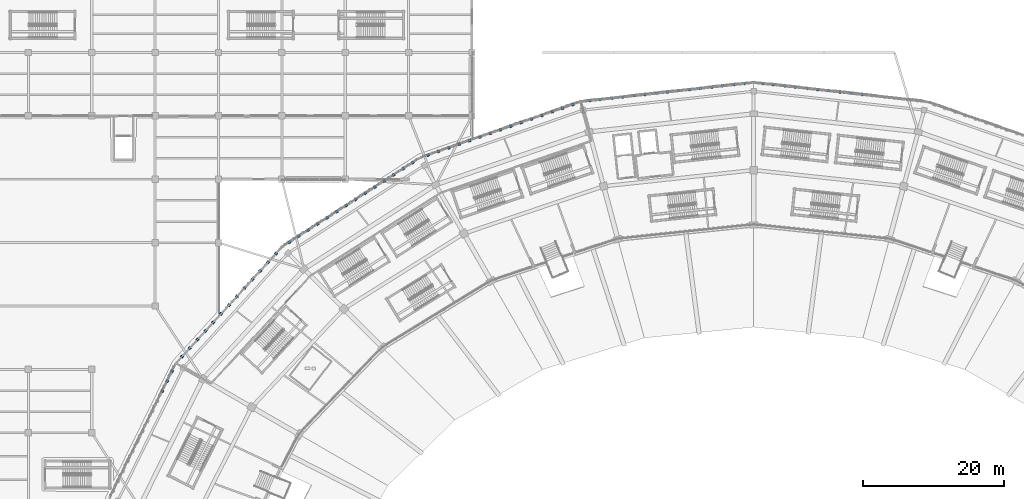
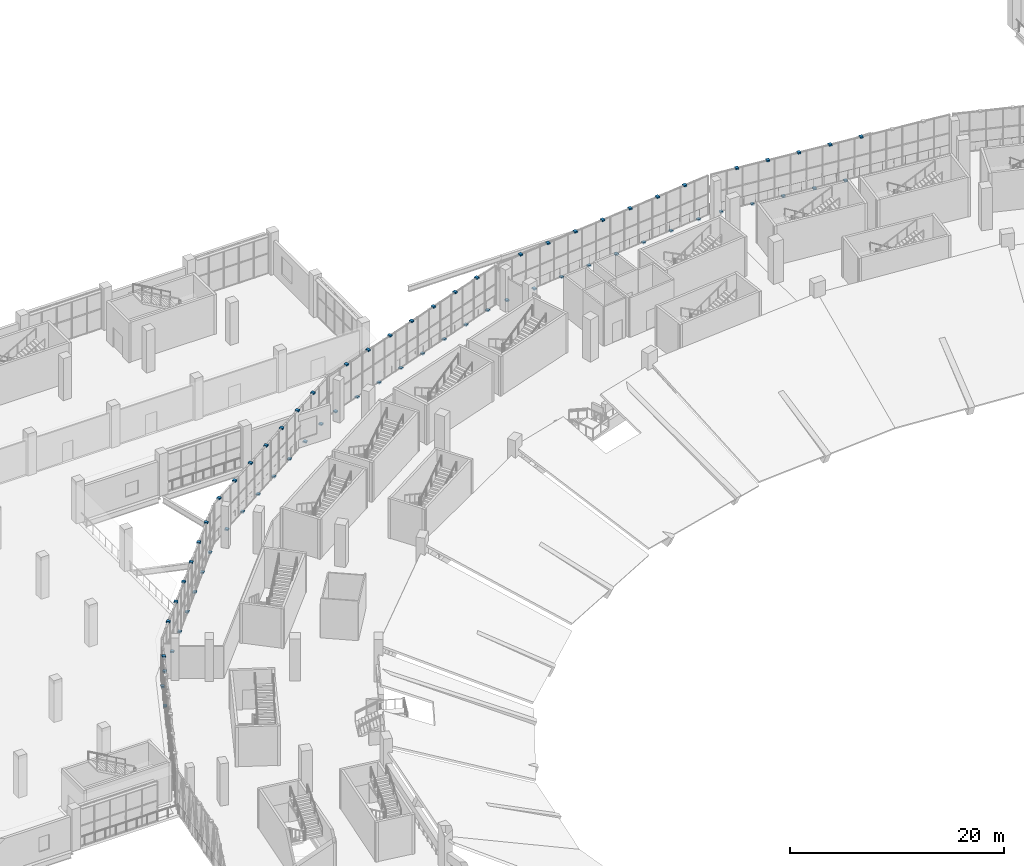
# One storey, part 123 of 183: 70 discrete accessories.
"""IFC4 building model written with IfcOpenShell, lengths in metres."""

import ifcopenshell
import ifcopenshell.guid

model = None  # the IFC model being written
_history = None  # IfcOwnerHistory: only IFC2X3 demands one
_inside = {}  # id of a spatial element -> (the spatial element, [elements in it])
_under = {}  # id of a project, library or spatial element -> (it, [spatial elements below it])
_declared = {}  # id of a project -> (the project, [libraries it declares])
_typed = {}  # id of a type object -> (the type object, [elements of that type])
_made_of = {}  # id of a material, layer set ... -> (it, [elements and type objects made of it])


def new_model(schema):
    """Start an empty IFC model of exactly this schema.

    Asked for "IFC4X3", IfcOpenShell would pick the latest addendum, in which some entities
    have other attributes; the version numbers below select the first issue.
    IFC2X3 requires an IfcOwnerHistory on every rooted entity: one is made here for all.
    """
    global model, _history
    if schema == "IFC4X3":
        model = ifcopenshell.file(schema_version=(4, 3, 0, 0))
    else:
        model = ifcopenshell.file(schema=schema)
    _inside.clear()
    _under.clear()
    _declared.clear()
    _typed.clear()
    _made_of.clear()
    _history = None
    if model.schema == "IFC2X3":
        org = make("IfcOrganization", Name="unknown")
        user = make(
            "IfcPersonAndOrganization",
            ThePerson=make("IfcPerson", FamilyName="unknown"),
            TheOrganization=org,
        )
        app = make(
            "IfcApplication",
            ApplicationDeveloper=org,
            Version="unknown",
            ApplicationFullName="unknown",
            ApplicationIdentifier="unknown",
        )
        _history = make(
            "IfcOwnerHistory",
            OwningUser=user,
            OwningApplication=app,
            ChangeAction="ADDED",
            CreationDate=0,
        )
    return model


def make(cls, **values):
    """One entity of the class cls with the attributes given. An attribute that is None is left unset."""
    return model.create_entity(
        cls, **{name: value for name, value in values.items() if value is not None}
    )


def rooted(cls, **values):
    """An entity with a GlobalId (a new one), such as an element, a storey or a relation."""
    return make(cls, GlobalId=ifcopenshell.guid.new(), OwnerHistory=_history, **values)


def si_unit(unit_type, name, prefix=None):
    """IfcSIUnit, for example si_unit("LENGTHUNIT", "METRE", prefix="MILLI")."""
    return make("IfcSIUnit", UnitType=unit_type, Prefix=prefix, Name=name)


def assignment(units):
    """IfcUnitAssignment: the units of a project."""
    return None if units is None else make("IfcUnitAssignment", Units=units)


def point(xyz):
    """IfcCartesianPoint."""
    return None if xyz is None else make("IfcCartesianPoint", Coordinates=xyz)


def direction(xyz):
    """IfcDirection."""
    return None if xyz is None else make("IfcDirection", DirectionRatios=xyz)


def frame(location, z_axis=None, x_axis=None):
    """IfcAxis2Placement3D, a coordinate frame: its origin and axes. An axis left out is left unset."""
    return make(
        "IfcAxis2Placement3D",
        Location=point(location),
        Axis=direction(z_axis),
        RefDirection=direction(x_axis),
    )


def frame_2d(location, x_axis=None):
    """IfcAxis2Placement2D, a coordinate frame in the plane: its origin and x axis."""
    return make(
        "IfcAxis2Placement2D", Location=point(location), RefDirection=direction(x_axis)
    )


def origin():
    """The frame at (0, 0, 0) with its axes left unset."""
    return frame((0.0, 0.0, 0.0))


def origin_2d():
    """The frame at (0, 0) in the plane with its x axis left unset."""
    return frame_2d((0.0, 0.0))


def place(relative_to, where):
    """IfcLocalPlacement: puts the frame where relative to a parent placement (None: the world)."""
    return make(
        "IfcLocalPlacement", PlacementRelTo=relative_to, RelativePlacement=where
    )


def context(
    kind, dimensions, precision=None, world=None, true_north=None, identifier=None
):
    """IfcGeometricRepresentationContext, for example the 3D "Model" context."""
    return make(
        "IfcGeometricRepresentationContext",
        ContextIdentifier=identifier,
        ContextType=kind,
        CoordinateSpaceDimension=dimensions,
        Precision=precision,
        WorldCoordinateSystem=world,
        TrueNorth=true_north,
    )


def subcontext(parent, identifier, kind, view, scale=None):
    """IfcGeometricRepresentationSubContext, for example "Body" below "Model"."""
    return make(
        "IfcGeometricRepresentationSubContext",
        ContextIdentifier=identifier,
        ContextType=kind,
        ParentContext=parent,
        TargetScale=scale,
        TargetView=view,
    )


def project(units=None, contexts=None):
    """IfcProject with its units and contexts."""
    return rooted(
        "IfcProject",
        Name="project",
        RepresentationContexts=contexts,
        UnitsInContext=assignment(units),
    )


def spatial(cls, under=None, at=None, **own):
    """A site, building, storey or space (cls), placed at a placement, below another one or the project."""
    s = rooted(cls, ObjectPlacement=at, **own)
    if under is not None:
        _under.setdefault(under.id(), (under, []))[1].append(s)
    return s


def profile(cls, at=None, kind="AREA", **sizes):
    """A parametric profile (cls). Its sizes go by their IFC names, for example OverallWidth=200.0."""
    return make(cls, ProfileType=kind, Position=at, **sizes)


def rectangle(**sizes):
    """IfcRectangleProfileDef."""
    return profile("IfcRectangleProfileDef", **sizes)


def extrude(swept, where, along, depth):
    """IfcExtrudedAreaSolid: the profile swept, set in the frame where, extruded along a direction by depth."""
    return make(
        "IfcExtrudedAreaSolid",
        SweptArea=swept,
        Position=where,
        ExtrudedDirection=direction(along),
        Depth=depth,
    )


def shape(context_of_items, identifier, shape_type, items):
    """IfcShapeRepresentation: the items that make up one representation, for example the "Body"."""
    return make(
        "IfcShapeRepresentation",
        ContextOfItems=context_of_items,
        RepresentationIdentifier=identifier,
        RepresentationType=shape_type,
        Items=items,
    )


def material(Name=None, Category=None):
    """IfcMaterial."""
    return make("IfcMaterial", Name=Name, Category=Category)


def layer(
    of_material, thickness, ventilated=None, Name=None, Category=None, Priority=None
):
    """IfcMaterialLayer: one layer of a wall or slab, of a material (None: an air gap)."""
    return make(
        "IfcMaterialLayer",
        Material=of_material,
        LayerThickness=thickness,
        IsVentilated=ventilated,
        Name=Name,
        Category=Category,
        Priority=Priority,
    )


def layer_set(layers, Name=None):
    """IfcMaterialLayerSet."""
    return make("IfcMaterialLayerSet", MaterialLayers=layers, LayerSetName=Name)


def made_of(thing, what):
    """Note that an element or type object is made of a material, layer set ...; save() writes the relation."""
    if what is not None:
        _made_of.setdefault(what.id(), (what, []))[1].append(thing)
    return thing


def type_object(cls, material=None, **own):
    """A type object (cls), such as IfcWallType, which elements share."""
    return made_of(rooted(cls, **own), material)


def element(
    cls,
    number,
    at=None,
    inside=None,
    cuts=None,
    type_object=None,
    material=None,
    context=None,
    identifier="Body",
    shape_type=None,
    held_by="IfcProductDefinitionShape",
    body=None,
    shapes=None,
    **own,
):
    """One element of the class cls, such as IfcWall. Its Tag is "e" and its number.

    at: its placement. inside: the storey or other place that contains it. cuts: it is an
    opening in that element (IfcRelVoidsElement). A single representation is given by context,
    identifier, shape_type and body (its items); several are given by shapes. held_by: the class
    of the entity that holds the representations. save() writes the other relations.
    """
    e = rooted(cls, Tag="e%d" % number, ObjectPlacement=at, **own)
    if body is not None:
        shapes = [shape(context, identifier, shape_type, body)]
    if shapes is not None:
        e.Representation = make(held_by, Representations=shapes)
    if inside is not None:
        _inside.setdefault(inside.id(), (inside, []))[1].append(e)
    if cuts is not None:
        rooted(
            "IfcRelVoidsElement", RelatingBuildingElement=cuts, RelatedOpeningElement=e
        )
    if type_object is not None:
        _typed.setdefault(type_object.id(), (type_object, []))[1].append(e)
    return made_of(e, material)


def aggregate(whole, parts):
    """IfcRelAggregates: a whole, such as a stair, and the parts it consists of."""
    return rooted("IfcRelAggregates", RelatingObject=whole, RelatedObjects=parts)


def save(model, path):
    """Write the relations noted so far, then the file.

    IfcRelAggregates (storeys below a building ...), IfcRelContainedInSpatialStructure (elements
    in a storey), IfcRelDefinesByType, IfcRelAssociatesMaterial and IfcRelDeclares: one each for
    every whole, place, type object, material and project.
    """
    for whole, parts in _under.values():
        aggregate(whole, parts)
    for where, things in _inside.values():
        rooted(
            "IfcRelContainedInSpatialStructure",
            RelatedElements=things,
            RelatingStructure=where,
        )
    for kind, things in _typed.values():
        rooted("IfcRelDefinesByType", RelatedObjects=things, RelatingType=kind)
    for what, things in _made_of.values():
        rooted("IfcRelAssociatesMaterial", RelatedObjects=things, RelatingMaterial=what)
    for by, libraries in _declared.values():
        rooted("IfcRelDeclares", RelatingContext=by, RelatedDefinitions=libraries)
    model.write(path)


model = new_model("IFC4")

# Units and contexts
model_context = context("Model", 3, precision=1e-05, world=origin(), true_north=direction((0.0, 1.0)))
body_context = subcontext(model_context, "Body", "Model", "MODEL_VIEW")
ifc_project = project(units=[si_unit("LENGTHUNIT", "METRE"), si_unit("AREAUNIT", "SQUARE_METRE"), si_unit("VOLUMEUNIT", "CUBIC_METRE"), si_unit("PLANEANGLEUNIT", "RADIAN"), si_unit("MASSUNIT", "GRAM", prefix="KILO")], contexts=[model_context])

# Site, building, storey
site_placement = place(None, origin())
site = spatial("IfcSite", under=ifc_project, at=site_placement, CompositionType="ELEMENT")
building_placement = place(site_placement, origin())
building = spatial("IfcBuilding", under=site, at=building_placement, Name="Zevraka Park Crest Stadium", CompositionType="ELEMENT")
storey_placement = place(building_placement, frame((0.0, 0.0, 5.39990234375)))
storey = spatial("IfcBuildingStorey", under=building, at=storey_placement, Name="L01", CompositionType="ELEMENT", Elevation=5.39990234375)

# Discrete accessories
ifc_material = material(Name="Galvanised steel bracketry", Category="steel")
ifc_layer = layer(ifc_material, 0.1201171875)
ifc_layer_set = layer_set([ifc_layer], Name="Galvanised steel bracketry")
discrete_accessory_type = type_object("IfcDiscreteAccessoryType", Name="BRK01", PredefinedType="BRACKET", material=ifc_layer_set)
for number, where, z_axis, x_axis, name in (
    (1, (127.4130859375, 170.031005859375, 4.38037109375), (0.0, 0.0, 1.0), (-0.9939225904, 0.110081262225, 0.0), "Bronze Screen Carrier Bracket BRK01 L01-05-6"),
    (2, (125.8369140625, 170.2060546875, -0.15966796875), (0.0, 0.0, 1.0), (-0.9939225904, 0.110081262225, 0.0), "Bronze Screen Carrier Bracket BRK01 L01-05-7"),
    (3, (124.260986328125, 170.3798828125, 4.38037109375), (0.0, 0.0, 1.0), (-0.9939225904, 0.110081262225, 0.0), "Bronze Screen Carrier Bracket BRK01 L01-05-8"),
    (4, (122.68505859375, 170.554931640625, -0.15966796875), (0.0, 0.0, 1.0), (-0.9939225904, 0.110081262225, 0.0), "Bronze Screen Carrier Bracket BRK01 L01-05-9"),
    (5, (121.10888671875, 170.72998046875, 4.38037109375), (0.0, 0.0, 1.0), (-0.9939225904, 0.110081262225, 0.0), "Bronze Screen Carrier Bracket BRK01 L01-05-10"),
    (6, (119.532958984375, 170.904052734375, -0.15966796875), (0.0, 0.0, 1.0), (-0.9939225904, 0.110081262225, 0.0), "Bronze Screen Carrier Bracket BRK01 L01-05-11"),
    (7, (117.95703125, 171.0791015625, 4.38037109375), (0.0, 0.0, 1.0), (-0.9939225904, 0.110081262225, 0.0), "Bronze Screen Carrier Bracket BRK01 L01-05-12"),
    (8, (116.381103515625, 171.25390625, -0.15966796875), (0.0, 0.0, 1.0), (-0.9939225904, 0.110081262225, 0.0), "Bronze Screen Carrier Bracket BRK01 L01-05-13"),
    (9, (114.803955078125, 171.427978515625, 4.38037109375), (0.0, 0.0, 1.0), (-0.9939225904, 0.110081262225, 0.0), "Bronze Screen Carrier Bracket BRK01 L01-05-14"),
    (10, (113.22802734375, 171.60302734375, -0.15966796875), (0.0, 0.0, 1.0), (-0.9939225904, 0.110081262225, 0.0), "Bronze Screen Carrier Bracket BRK01 L01-05-15"),
    (11, (110.77197265625, 171.60302734375, -0.15966796875), (0.0, 0.0, 1.0), (-0.9939225904, -0.110081262225, 0.0), "Bronze Screen Carrier Bracket BRK01 L01-06-1"),
    (12, (109.196044921875, 171.427978515625, 4.38037109375), (0.0, 0.0, 1.0), (-0.9939225904, -0.110081262225, 0.0), "Bronze Screen Carrier Bracket BRK01 L01-06-2"),
    (13, (107.618896484375, 171.25390625, -0.15966796875), (0.0, 0.0, 1.0), (-0.9939225904, -0.110081262225, 0.0), "Bronze Screen Carrier Bracket BRK01 L01-06-3"),
    (14, (106.04296875, 171.0791015625, 4.38037109375), (0.0, 0.0, 1.0), (-0.9939225904, -0.110081262225, 0.0), "Bronze Screen Carrier Bracket BRK01 L01-06-4"),
    (15, (104.467041015625, 170.904052734375, -0.15966796875), (0.0, 0.0, 1.0), (-0.9939225904, -0.110081262225, 0.0), "Bronze Screen Carrier Bracket BRK01 L01-06-5"),
    (16, (102.89111328125, 170.72998046875, 4.38037109375), (0.0, 0.0, 1.0), (-0.9939225904, -0.110081262225, 0.0), "Bronze Screen Carrier Bracket BRK01 L01-06-6"),
    (17, (101.31494140625, 170.554931640625, -0.15966796875), (0.0, 0.0, 1.0), (-0.9939225904, -0.110081262225, 0.0), "Bronze Screen Carrier Bracket BRK01 L01-06-7"),
    (18, (99.739013671875, 170.3798828125, 4.38037109375), (0.0, 0.0, 1.0), (-0.9939225904, -0.110081262225, 0.0), "Bronze Screen Carrier Bracket BRK01 L01-06-8"),
    (19, (98.1630859375, 170.2060546875, -0.15966796875), (0.0, 0.0, 1.0), (-0.9939225904, -0.110081262225, 0.0), "Bronze Screen Carrier Bracket BRK01 L01-06-9"),
    (20, (96.5869140625, 170.031005859375, 4.38037109375), (0.0, 0.0, 1.0), (-0.9939225904, -0.110081262225, 0.0), "Bronze Screen Carrier Bracket BRK01 L01-06-10"),
    (21, (95.010986328125, 169.85693359375, -0.15966796875), (0.0, 0.0, 1.0), (-0.9939225904, -0.110081262225, 0.0), "Bronze Screen Carrier Bracket BRK01 L01-06-11"),
    (22, (93.43505859375, 169.681884765625, 4.38037109375), (0.0, 0.0, 1.0), (-0.9939225904, -0.110081262225, 0.0), "Bronze Screen Carrier Bracket BRK01 L01-06-12"),
    (23, (91.85888671875, 169.507080078125, -0.15966796875), (0.0, 0.0, 1.0), (-0.9939225904, -0.110081262225, 0.0), "Bronze Screen Carrier Bracket BRK01 L01-06-13"),
    (24, (90.281982421875, 169.3330078125, 4.38037109375), (0.0, 0.0, 1.0), (-0.9939225904, -0.110081262225, 0.0), "Bronze Screen Carrier Bracket BRK01 L01-06-14"),
    (25, (88.7060546875, 169.157958984375, -0.15966796875), (0.0, 0.0, 1.0), (-0.9939225904, -0.110081262225, 0.0), "Bronze Screen Carrier Bracket BRK01 L01-06-15"),
    (26, (86.324951171875, 168.6201171875, -0.15966796875), (0.0, 0.0, 1.0), (-0.944261516589, -0.329196276237, 0.0), "Bronze Screen Carrier Bracket BRK01 L01-07-1"),
    (27, (84.85791015625, 168.10791015625, 4.38037109375), (0.0, 0.0, 1.0), (-0.944261516589, -0.329196276237, 0.0), "Bronze Screen Carrier Bracket BRK01 L01-07-2"),
    (28, (83.389892578125, 167.596923828125, -0.15966796875), (0.0, 0.0, 1.0), (-0.944261516589, -0.329196276237, 0.0), "Bronze Screen Carrier Bracket BRK01 L01-07-3"),
    (29, (81.922119140625, 167.0849609375, 4.38037109375), (0.0, 0.0, 1.0), (-0.944261516589, -0.329196276237, 0.0), "Bronze Screen Carrier Bracket BRK01 L01-07-4"),
    (30, (80.455078125, 166.572998046875, -0.15966796875), (0.0, 0.0, 1.0), (-0.944261516589, -0.329196276237, 0.0), "Bronze Screen Carrier Bracket BRK01 L01-07-5"),
    (31, (78.987060546875, 166.06103515625, 4.38037109375), (0.0, 0.0, 1.0), (-0.944261516589, -0.329196276237, 0.0), "Bronze Screen Carrier Bracket BRK01 L01-07-6"),
    (32, (77.52001953125, 165.550048828125, -0.15966796875), (0.0, 0.0, 1.0), (-0.944261516589, -0.329196276237, 0.0), "Bronze Screen Carrier Bracket BRK01 L01-07-7"),
    (33, (76.052001953125, 165.0380859375, 4.38037109375), (0.0, 0.0, 1.0), (-0.944261516589, -0.329196276237, 0.0), "Bronze Screen Carrier Bracket BRK01 L01-07-8"),
    (34, (74.583984375, 164.52587890625, -0.15966796875), (0.0, 0.0, 1.0), (-0.944261516589, -0.329196276237, 0.0), "Bronze Screen Carrier Bracket BRK01 L01-07-9"),
    (35, (73.116943359375, 164.014892578125, 4.38037109375), (0.0, 0.0, 1.0), (-0.944261516589, -0.329196276237, 0.0), "Bronze Screen Carrier Bracket BRK01 L01-07-10"),
    (36, (71.64892578125, 163.5029296875, -0.15966796875), (0.0, 0.0, 1.0), (-0.944261516589, -0.329196276237, 0.0), "Bronze Screen Carrier Bracket BRK01 L01-07-11"),
    (37, (70.181884765625, 162.990966796875, 4.38037109375), (0.0, 0.0, 1.0), (-0.944261516589, -0.329196276237, 0.0), "Bronze Screen Carrier Bracket BRK01 L01-07-12"),
    (38, (68.714111328125, 162.47900390625, -0.15966796875), (0.0, 0.0, 1.0), (-0.944261516589, -0.329196276237, 0.0), "Bronze Screen Carrier Bracket BRK01 L01-07-13"),
    (39, (67.24609375, 161.968017578125, 4.38037109375), (0.0, 0.0, 1.0), (-0.944261516589, -0.329196276237, 0.0), "Bronze Screen Carrier Bracket BRK01 L01-07-14"),
    (40, (65.779052734375, 161.4560546875, -0.15966796875), (0.0, 0.0, 1.0), (-0.944261516589, -0.329196276237, 0.0), "Bronze Screen Carrier Bracket BRK01 L01-07-15"),
    (41, (63.5810546875, 160.37890625, -0.15966796875), (0.0, 0.0, 1.0), (-0.839998867196, -0.542588152386, 0.0), "Bronze Screen Carrier Bracket BRK01 L01-08-1"),
    (42, (62.23193359375, 159.508056640625, 4.38037109375), (0.0, 0.0, 1.0), (-0.839998867196, -0.542588152386, 0.0), "Bronze Screen Carrier Bracket BRK01 L01-08-2"),
    (43, (60.884033203125, 158.636962890625, -0.15966796875), (0.0, 0.0, 1.0), (-0.839998867196, -0.542588152386, 0.0), "Bronze Screen Carrier Bracket BRK01 L01-08-3"),
    (44, (59.534912109375, 157.76611328125, 4.38037109375), (0.0, 0.0, 1.0), (-0.839998867196, -0.542588152386, 0.0), "Bronze Screen Carrier Bracket BRK01 L01-08-4"),
    (45, (58.18701171875, 156.89501953125, -0.15966796875), (0.0, 0.0, 1.0), (-0.839998867196, -0.542588152386, 0.0), "Bronze Screen Carrier Bracket BRK01 L01-08-5"),
    (46, (56.839111328125, 156.02392578125, 4.38037109375), (0.0, 0.0, 1.0), (-0.839998867196, -0.542588152386, 0.0), "Bronze Screen Carrier Bracket BRK01 L01-08-6"),
    (47, (55.489990234375, 155.153076171875, -0.15966796875), (0.0, 0.0, 1.0), (-0.839998867196, -0.542588152386, 0.0), "Bronze Screen Carrier Bracket BRK01 L01-08-7"),
    (48, (54.14208984375, 154.282958984375, 4.38037109375), (0.0, 0.0, 1.0), (-0.839998867196, -0.542588152386, 0.0), "Bronze Screen Carrier Bracket BRK01 L01-08-8"),
    (49, (52.79296875, 153.412109375, -0.15966796875), (0.0, 0.0, 1.0), (-0.839998867196, -0.542588152386, 0.0), "Bronze Screen Carrier Bracket BRK01 L01-08-9"),
    (50, (51.445068359375, 152.541015625, 4.38037109375), (0.0, 0.0, 1.0), (-0.839998867196, -0.542588152386, 0.0), "Bronze Screen Carrier Bracket BRK01 L01-08-10"),
    (51, (50.096923828125, 151.669921875, -0.15966796875), (0.0, 0.0, 1.0), (-0.839998867196, -0.542588152386, 0.0), "Bronze Screen Carrier Bracket BRK01 L01-08-11"),
    (52, (48.748046875, 150.799072265625, 4.38037109375), (0.0, 0.0, 1.0), (-0.839998867196, -0.542588152386, 0.0), "Bronze Screen Carrier Bracket BRK01 L01-08-12"),
    (53, (47.39990234375, 149.927978515625, -0.15966796875), (0.0, 0.0, 1.0), (-0.839998867196, -0.542588152386, 0.0), "Bronze Screen Carrier Bracket BRK01 L01-08-13"),
    (54, (46.051025390625, 149.056884765625, 4.38037109375), (0.0, 0.0, 1.0), (-0.839998867196, -0.542588152386, 0.0), "Bronze Screen Carrier Bracket BRK01 L01-08-14"),
    (55, (44.15087890625, 147.444091796875, -0.15966796875), (0.0, 0.0, 1.0), (-0.673657707057, -0.739043499209, 0.0), "Bronze Screen Carrier Bracket BRK01 L01-09-1"),
    (56, (43.0390625, 146.22412109375, 4.38037109375), (0.0, 0.0, 1.0), (-0.673657707057, -0.739043499209, 0.0), "Bronze Screen Carrier Bracket BRK01 L01-09-2"),
    (57, (41.926025390625, 145.00390625, -0.15966796875), (0.0, 0.0, 1.0), (-0.673657707057, -0.739043499209, 0.0), "Bronze Screen Carrier Bracket BRK01 L01-09-3"),
    (58, (40.81396484375, 143.783935546875, 4.38037109375), (0.0, 0.0, 1.0), (-0.673657707057, -0.739043499209, 0.0), "Bronze Screen Carrier Bracket BRK01 L01-09-4"),
    (59, (39.701904296875, 142.56396484375, -0.15966796875), (0.0, 0.0, 1.0), (-0.673657707057, -0.739043499209, 0.0), "Bronze Screen Carrier Bracket BRK01 L01-09-5"),
    (60, (38.590087890625, 141.343994140625, 4.38037109375), (0.0, 0.0, 1.0), (-0.673657707057, -0.739043499209, 0.0), "Bronze Screen Carrier Bracket BRK01 L01-09-6"),
    (61, (37.47705078125, 140.1240234375, -0.15966796875), (0.0, 0.0, 1.0), (-0.673657707057, -0.739043499209, 0.0), "Bronze Screen Carrier Bracket BRK01 L01-09-7"),
    (62, (36.364990234375, 138.903076171875, 4.38037109375), (0.0, 0.0, 1.0), (-0.673657707057, -0.739043499209, 0.0), "Bronze Screen Carrier Bracket BRK01 L01-09-8"),
    (63, (35.2529296875, 137.68310546875, -0.15966796875), (0.0, 0.0, 1.0), (-0.673657707057, -0.739043499209, 0.0), "Bronze Screen Carrier Bracket BRK01 L01-09-9"),
    (64, (34.14111328125, 136.462890625, 4.38037109375), (0.0, 0.0, 1.0), (-0.673657707057, -0.739043499209, 0.0), "Bronze Screen Carrier Bracket BRK01 L01-09-10"),
    (65, (33.029052734375, 135.242919921875, -0.15966796875), (0.0, 0.0, 1.0), (-0.673657707057, -0.739043499209, 0.0), "Bronze Screen Carrier Bracket BRK01 L01-09-11"),
    (66, (31.916015625, 134.02294921875, 4.38037109375), (0.0, 0.0, 1.0), (-0.673657707057, -0.739043499209, 0.0), "Bronze Screen Carrier Bracket BRK01 L01-09-12"),
    (67, (30.803955078125, 132.802978515625, -0.15966796875), (0.0, 0.0, 1.0), (-0.673657707057, -0.739043499209, 0.0), "Bronze Screen Carrier Bracket BRK01 L01-09-13"),
    (68, (29.406982421875, 130.760986328125, -0.15966796875), (0.0, 0.0, 1.0), (-0.441505852792, -0.897258369674, 0.0), "Bronze Screen Carrier Bracket BRK01 L01-10-1"),
    (69, (28.708984375, 129.343017578125, 4.38037109375), (0.0, 0.0, 1.0), (-0.441505852792, -0.897258369674, 0.0), "Bronze Screen Carrier Bracket BRK01 L01-10-2"),
    (70, (28.010986328125, 127.924072265625, -0.15966796875), (0.0, 0.0, 1.0), (-0.441505852792, -0.897258369674, 0.0), "Bronze Screen Carrier Bracket BRK01 L01-10-3"),
):
    element("IfcDiscreteAccessory", number, at=place(storey_placement, frame(where, z_axis=z_axis, x_axis=x_axis)), inside=storey, type_object=discrete_accessory_type, Name=name, PredefinedType="BRACKET", context=body_context, shape_type="SweptSolid", body=[
        extrude(rectangle(XDim=0.320068359375, YDim=0.360107421875, at=origin_2d()), origin(), (0.0, 0.0, 1.0), 0.159912109375),
    ])

save(model, "model.ifc")
